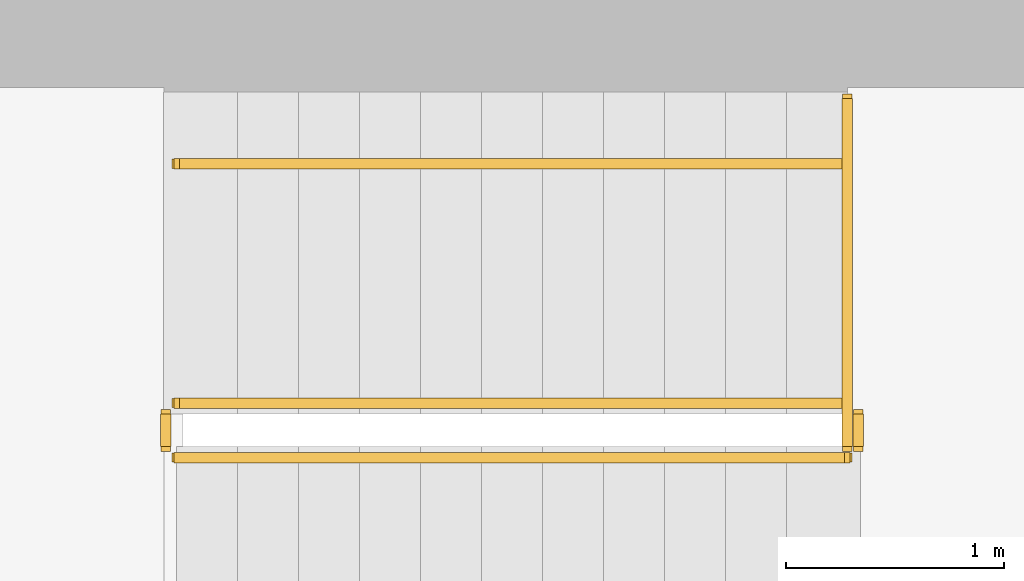
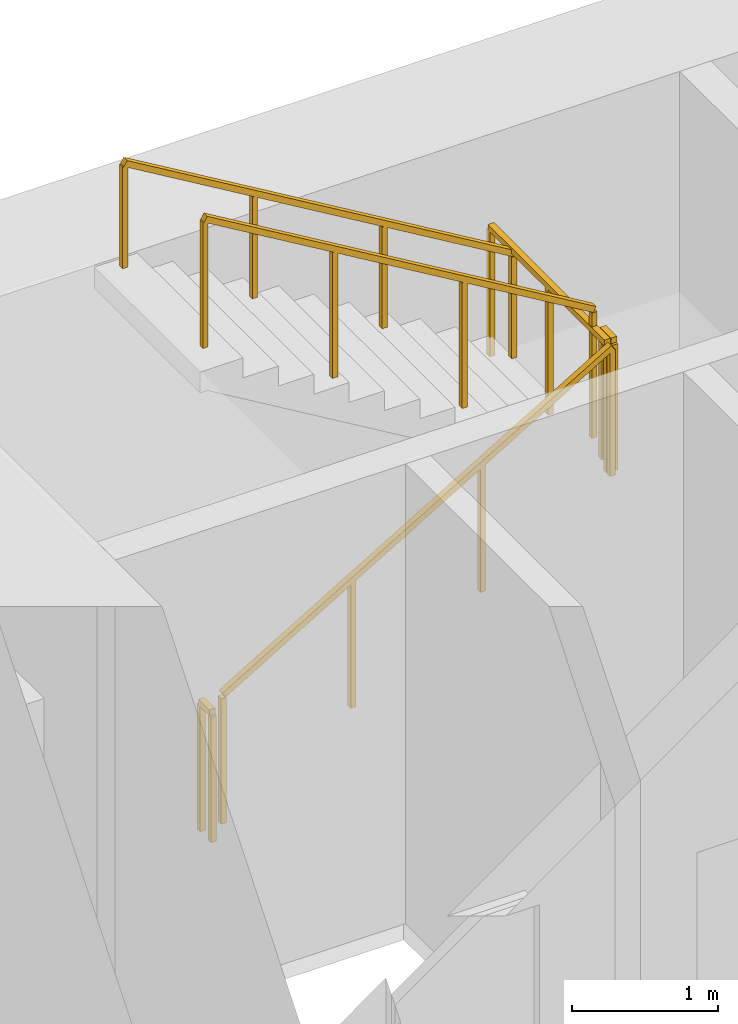
# One storey, part 15 of 16: 6 railings.
"""IFC4 building model written with IfcOpenShell, lengths in metres."""

from ifc_helpers import new_model, si_unit, direction, frame, origin, origin_2d, place, context, subcontext, project, spatial, rectangle, extrude, material, type_object, element, save


model = new_model("IFC4")

# Units and contexts
model_context = context("Model", 3, precision=1e-05, world=origin(), true_north=direction((0.0, 1.0)))
body_context = subcontext(model_context, "Body", "Model", "MODEL_VIEW")
ifc_project = project(units=[si_unit("LENGTHUNIT", "METRE"), si_unit("AREAUNIT", "SQUARE_METRE"), si_unit("VOLUMEUNIT", "CUBIC_METRE"), si_unit("PLANEANGLEUNIT", "RADIAN"), si_unit("MASSUNIT", "GRAM", prefix="KILO")], contexts=[model_context])

# Site, building, storey
site_placement = place(None, origin())
site = spatial("IfcSite", under=ifc_project, at=site_placement, CompositionType="ELEMENT")
building_placement = place(site_placement, origin())
building = spatial("IfcBuilding", under=site, at=building_placement, Name="Sennacour Bend Tower", CompositionType="ELEMENT")
storey_placement = place(building_placement, frame((0.0, 0.0, 167.0)))
storey = spatial("IfcBuildingStorey", under=building, at=storey_placement, Name="L38", CompositionType="ELEMENT", Elevation=167.0)

# Railings
ifc_material = material(Name="Stainless steel", Category="steel")
railing_type_1 = type_object("IfcRailingType", Name="RL-GUARD-1100", PredefinedType="GUARDRAIL", material=ifc_material)
railing_1_placement = place(storey_placement, frame((56.699951171875, 19.85009765625, 0.166748046875)))
element("IfcRailing", 1, at=railing_1_placement, inside=storey, type_object=railing_type_1, Name="L38 SA2 stair guard 1", PredefinedType="GUARDRAIL", context=body_context, shape_type="SweptSolid", body=[
    extrude(rectangle(XDim=0.048095703125, YDim=0.048095703125, at=origin_2d()), frame((0.0, 0.0, 1.076171875), z_axis=(0.859308565015, 0.0, 0.511457515432), x_axis=(0.0, 1.0, 0.0)), (0.0, 0.0, 1.0), 3.58447265625),
    extrude(rectangle(XDim=0.0419921875, YDim=0.0419921875, at=origin_2d()), origin(), (0.0, 0.0, 1.0), 1.052001953125),
    extrude(rectangle(XDim=0.0419921875, YDim=0.0419921875, at=origin_2d()), frame((1.026611328125, 0.0, 0.611083984375)), (0.0, 0.0, 1.0), 1.052001953125),
    extrude(rectangle(XDim=0.0419921875, YDim=0.0419921875, at=origin_2d()), frame((2.053466796875, 0.0, 1.22216796875)), (0.0, 0.0, 1.0), 1.052001953125),
    extrude(rectangle(XDim=0.0419921875, YDim=0.0419921875, at=origin_2d()), frame((3.080078125, 0.0, 1.833251953125)), (0.0, 0.0, 1.0), 1.052001953125),
])
railing_2_placement = place(storey_placement, frame((59.830078125, 19.89990234375, 2.0)))
element("IfcRailing", 2, at=railing_2_placement, inside=storey, type_object=railing_type_1, Name="L38 SA2 stair guard 2", PredefinedType="GUARDRAIL", context=body_context, shape_type="SweptSolid", body=[
    extrude(rectangle(XDim=0.048095703125, YDim=0.048095703125, at=origin_2d()), frame((0.0, 0.0, 1.076171875), z_axis=(0.0, 1.0, 0.0), x_axis=(-1.0, 0.0, 0.0)), (0.0, 0.0, 1.0), 0.150146484375),
    extrude(rectangle(XDim=0.0419921875, YDim=0.0419921875, at=origin_2d()), origin(), (0.0, 0.0, 1.0), 1.052001953125),
    extrude(rectangle(XDim=0.0419921875, YDim=0.0419921875, at=origin_2d()), frame((0.0, 0.150146484375, 0.0)), (0.0, 0.0, 1.0), 1.052001953125),
])
railing_3_placement = place(storey_placement, frame((59.780029296875, 20.10009765625, 2.166748046875)))
element("IfcRailing", 3, at=railing_3_placement, inside=storey, type_object=railing_type_1, Name="L38 SA2 stair guard 4", PredefinedType="GUARDRAIL", context=body_context, shape_type="SweptSolid", body=[
    extrude(rectangle(XDim=0.048095703125, YDim=0.048095703125, at=origin_2d()), frame((0.0, 0.0, 1.076171875), z_axis=(-0.859308565015, 0.0, 0.511457515432), x_axis=(0.0, -1.0, 0.0)), (0.0, 0.0, 1.0), 3.58447265625),
    extrude(rectangle(XDim=0.0419921875, YDim=0.0419921875, at=origin_2d()), origin(), (0.0, 0.0, 1.0), 1.052001953125),
    extrude(rectangle(XDim=0.0419921875, YDim=0.0419921875, at=origin_2d()), frame((-1.026611328125, 0.0, 0.611083984375)), (0.0, 0.0, 1.0), 1.052001953125),
    extrude(rectangle(XDim=0.0419921875, YDim=0.0419921875, at=origin_2d()), frame((-2.053466796875, 0.0, 1.22216796875)), (0.0, 0.0, 1.0), 1.052001953125),
    extrude(rectangle(XDim=0.0419921875, YDim=0.0419921875, at=origin_2d()), frame((-3.080078125, 0.0, 1.833251953125)), (0.0, 0.0, 1.0), 1.052001953125),
])
railing_4_placement = place(storey_placement, frame((56.64990234375, 19.89990234375, 0.0)))
element("IfcRailing", 4, at=railing_4_placement, inside=storey, type_object=railing_type_1, Name="L38 SA2 stair guard 5", PredefinedType="GUARDRAIL", context=body_context, shape_type="SweptSolid", body=[
    extrude(rectangle(XDim=0.048095703125, YDim=0.048095703125, at=origin_2d()), frame((0.0, 0.0, 1.076171875), z_axis=(0.0, 1.0, 0.0), x_axis=(-1.0, 0.0, 0.0)), (0.0, 0.0, 1.0), 0.150146484375),
    extrude(rectangle(XDim=0.0419921875, YDim=0.0419921875, at=origin_2d()), origin(), (0.0, 0.0, 1.0), 1.052001953125),
    extrude(rectangle(XDim=0.0419921875, YDim=0.0419921875, at=origin_2d()), frame((0.0, 0.150146484375, 0.0)), (0.0, 0.0, 1.0), 1.052001953125),
])
railing_5_placement = place(storey_placement, frame((59.780029296875, 19.89990234375, 2.0)))
element("IfcRailing", 5, at=railing_5_placement, inside=storey, type_object=railing_type_1, Name="L38 SA2 landing edge guard 53", PredefinedType="GUARDRAIL", context=body_context, shape_type="SweptSolid", body=[
    extrude(rectangle(XDim=0.048095703125, YDim=0.048095703125, at=origin_2d()), frame((0.0, 0.0, 1.076171875), z_axis=(0.0, 1.0, 0.0), x_axis=(-1.0, 0.0, 0.0)), (0.0, 0.0, 1.0), 1.60009765625),
    extrude(rectangle(XDim=0.0419921875, YDim=0.0419921875, at=origin_2d()), origin(), (0.0, 0.0, 1.0), 1.052001953125),
    extrude(rectangle(XDim=0.0419921875, YDim=0.0419921875, at=origin_2d()), frame((0.0, 0.800048828125, 0.0)), (0.0, 0.0, 1.0), 1.052001953125),
    extrude(rectangle(XDim=0.0419921875, YDim=0.0419921875, at=origin_2d()), frame((0.0, 1.60009765625, 0.0)), (0.0, 0.0, 1.0), 1.052001953125),
])
railing_type_2 = type_object("IfcRailingType", Name="RL-HANDRAIL-900", PredefinedType="HANDRAIL", material=ifc_material)
railing_6_placement = place(storey_placement, frame((59.780029296875, 21.199951171875, 2.166748046875)))
element("IfcRailing", 6, at=railing_6_placement, inside=storey, type_object=railing_type_2, Name="L38 SA2 stair handrail 2", PredefinedType="HANDRAIL", context=body_context, shape_type="SweptSolid", body=[
    extrude(rectangle(XDim=0.048095703125, YDim=0.048095703125, at=origin_2d()), frame((0.0, 0.0, 0.8759765625), z_axis=(-0.859308565015, 0.0, 0.511457515432), x_axis=(0.0, -1.0, 0.0)), (0.0, 0.0, 1.0), 3.58447265625),
    extrude(rectangle(XDim=0.0419921875, YDim=0.0419921875, at=origin_2d()), origin(), (0.0, 0.0, 1.0), 0.851806640625),
    extrude(rectangle(XDim=0.0419921875, YDim=0.0419921875, at=origin_2d()), frame((-1.026611328125, 0.0, 0.611083984375)), (0.0, 0.0, 1.0), 0.851806640625),
    extrude(rectangle(XDim=0.0419921875, YDim=0.0419921875, at=origin_2d()), frame((-2.053466796875, 0.0, 1.22216796875)), (0.0, 0.0, 1.0), 0.851806640625),
    extrude(rectangle(XDim=0.0419921875, YDim=0.0419921875, at=origin_2d()), frame((-3.080078125, 0.0, 1.833251953125)), (0.0, 0.0, 1.0), 0.851806640625),
])

save(model, "model.ifc")
